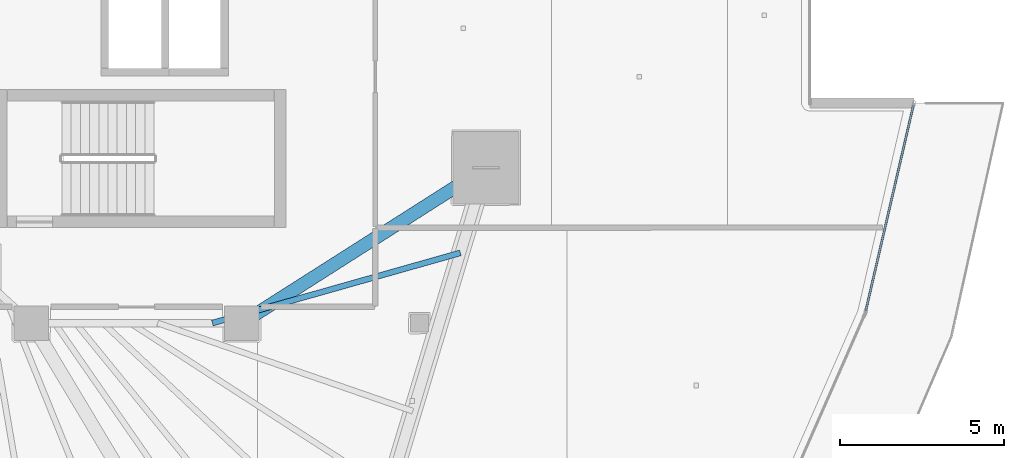
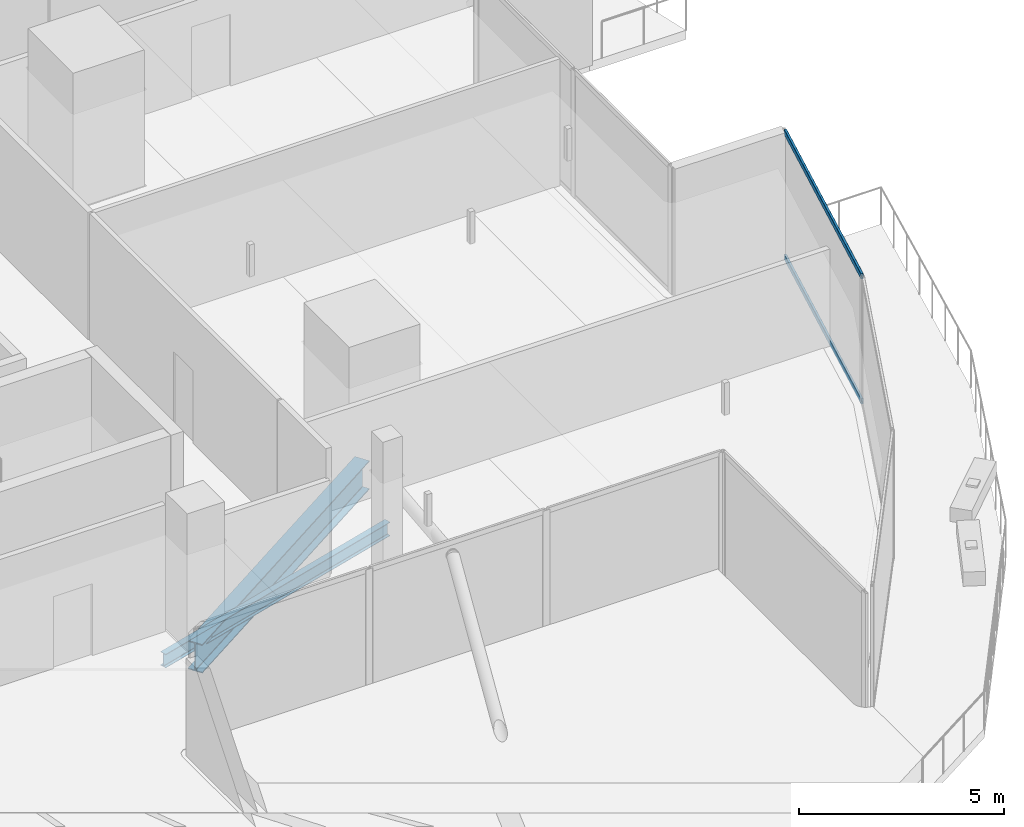
# One storey, part 12 of 38: 2 beams, 2 members, 1 element without a shape of its own.
"""IFC4 building model written with IfcOpenShell, lengths in metres."""

from ifc_helpers import new_model, si_unit, direction, frame, origin, origin_2d, place, context, subcontext, project, spatial, hollow_rectangle, i_section, extrude, material, layer, layer_set, material_profile, profile_set, type_object, element, aggregate, save


model = new_model("IFC4")

# Units and contexts
model_context = context("Model", 3, precision=1e-05, world=origin(), true_north=direction((0.0, 1.0)))
body_context = subcontext(model_context, "Body", "Model", "MODEL_VIEW")
ifc_project = project(units=[si_unit("LENGTHUNIT", "METRE"), si_unit("AREAUNIT", "SQUARE_METRE"), si_unit("VOLUMEUNIT", "CUBIC_METRE"), si_unit("PLANEANGLEUNIT", "RADIAN"), si_unit("MASSUNIT", "GRAM", prefix="KILO")], contexts=[model_context])

# Site, building, storey
site_placement = place(None, origin())
site = spatial("IfcSite", under=ifc_project, at=site_placement, CompositionType="ELEMENT")
building_placement = place(site_placement, origin())
building = spatial("IfcBuilding", under=site, at=building_placement, Name="Qorvath Tower", CompositionType="ELEMENT")
storey_placement = place(building_placement, frame((0.0, 0.0, 158.39990234375)))
storey = spatial("IfcBuildingStorey", under=building, at=storey_placement, Name="L36", CompositionType="ELEMENT", Elevation=158.39990234375)

# Beams
ifc_material_1 = material(Name="Steel ASTM A992 Grade 50", Category="steel")
ifc_material_profile_1 = material_profile(ifc_material_1, i_section(OverallWidth=0.39892578125, OverallDepth=0.85498046875, WebThickness=0.018310546875, FlangeThickness=0.029296875, FilletRadius=0.02001953125, at=origin_2d()), Name="W33x201")
ifc_profile_set_1 = profile_set([ifc_material_profile_1], Name="Steel ASTM A992 Grade 50")
beam_type_1 = type_object("IfcBeamType", Name="BM-FG2", PredefinedType="BEAM", material=ifc_profile_set_1)
beam_1_placement = place(storey_placement, frame((-17.199951171875, -11.449951171875, -0.697509765625), z_axis=(0.843634090834, 0.536918542037, 0.0), x_axis=(-0.536918542037, 0.843634090834, 0.0)))
element("IfcBeam", 1, at=beam_1_placement, inside=storey, type_object=beam_type_1, Name="Radial Floor Girder CC3-MC4 L36", PredefinedType="BEAM", context=body_context, shape_type="SweptSolid", body=[
    extrude(i_section(OverallWidth=0.39892578125, OverallDepth=0.85498046875, WebThickness=0.018310546875, FlangeThickness=0.029296875, FilletRadius=0.02001953125, at=origin_2d()), origin(), (0.0, 0.0, 1.0), 8.806884765625),
])
ifc_material_2 = material(Name="Steel ASTM A992 Grade 50", Category="steel")
ifc_material_profile_2 = material_profile(ifc_material_2, i_section(OverallWidth=0.177978515625, OverallDepth=0.406005859375, WebThickness=0.0078125, FlangeThickness=0.0126953125, FilletRadius=0.010986328125, at=origin_2d()), Name="W16x40")
ifc_profile_set_2 = profile_set([ifc_material_profile_2], Name="Steel ASTM A992 Grade 50")
beam_type_2 = type_object("IfcBeamType", Name="BM-FJ3", PredefinedType="JOIST", material=ifc_profile_set_2)
beam_2_placement = place(storey_placement, frame((-18.095947265625, -11.449951171875, -0.472900390625), z_axis=(0.962222206221, 0.272265359264, 0.0), x_axis=(-0.272265359264, 0.962222206221, 0.0)))
element("IfcBeam", 2, at=beam_2_placement, inside=storey, type_object=beam_type_2, Name="Composite Floor Joist SE1 L36", PredefinedType="JOIST", context=body_context, shape_type="SweptSolid", body=[
    extrude(i_section(OverallWidth=0.177978515625, OverallDepth=0.406005859375, WebThickness=0.0078125, FlangeThickness=0.0126953125, FilletRadius=0.010986328125, at=origin_2d()), origin(), (0.0, 0.0, 1.0), 7.841552734375),
])

# Curtain wall, members
ifc_material_3 = material(Name="Anodised aluminium and triple low-E glass", Category="aluminium")
ifc_layer = layer(ifc_material_3, 0.179931640625)
ifc_layer_set = layer_set([ifc_layer], Name="CW-SYS-5")
curtain_wall_type = type_object("IfcCurtainWallType", Name="CW-SYS-5", PredefinedType="NOTDEFINED", material=ifc_layer_set)
curtain_wall_placement = place(storey_placement, origin())
curtain_wall = element("IfcCurtainWall", 3, at=curtain_wall_placement, inside=storey, type_object=curtain_wall_type, Name="Curtain Wall CW-5 CW-T-L36-7.1", PredefinedType="NOTDEFINED")
ifc_material_4 = material(Name="Anodised aluminium 6063-T6", Category="aluminium")
ifc_material_profile_3 = material_profile(ifc_material_4, hollow_rectangle(XDim=0.06494140625, YDim=0.159912109375, WallThickness=0.00341796875, InnerFilletRadius=0.00341796875, OuterFilletRadius=0.007080078125, at=origin_2d()), Name="CWT 160x65")
ifc_profile_set_3 = profile_set([ifc_material_profile_3], Name="Anodised aluminium 6063-T6")
member_type = type_object("IfcMemberType", Name="CWT-160", PredefinedType="USERDEFINED", material=ifc_profile_set_3)
member_1_placement = place(storey_placement, frame((1.779541015625, -11.080078125, 0.032470703125), z_axis=(0.225778572487, 0.974178646967, 0.0), x_axis=(-0.974178646967, 0.225778572487, 0.0)))
member_1 = element("IfcMember", 4, at=member_1_placement, type_object=member_type, Name="CW-5 transom 1.1", ObjectType="TRANSOM", PredefinedType="USERDEFINED", context=body_context, shape_type="SweptSolid", body=[
    extrude(hollow_rectangle(XDim=0.06494140625, YDim=0.159912109375, WallThickness=0.00341796875, InnerFilletRadius=0.00341796875, OuterFilletRadius=0.007080078125, at=origin_2d()), origin(), (0.0, 0.0, 1.0), 6.4208984375),
])
member_2_placement = place(storey_placement, frame((1.779541015625, -11.080078125, 3.74755859375), z_axis=(0.225778572487, 0.974178646967, 0.0), x_axis=(-0.974178646967, 0.225778572487, 0.0)))
member_2 = element("IfcMember", 5, at=member_2_placement, type_object=member_type, Name="CW-5 transom 1.2", ObjectType="TRANSOM", PredefinedType="USERDEFINED", context=body_context, shape_type="SweptSolid", body=[
    extrude(hollow_rectangle(XDim=0.06494140625, YDim=0.159912109375, WallThickness=0.00341796875, InnerFilletRadius=0.00341796875, OuterFilletRadius=0.007080078125, at=origin_2d()), origin(), (0.0, 0.0, 1.0), 6.4208984375),
])
aggregate(curtain_wall, [member_1, member_2])

save(model, "model.ifc")
